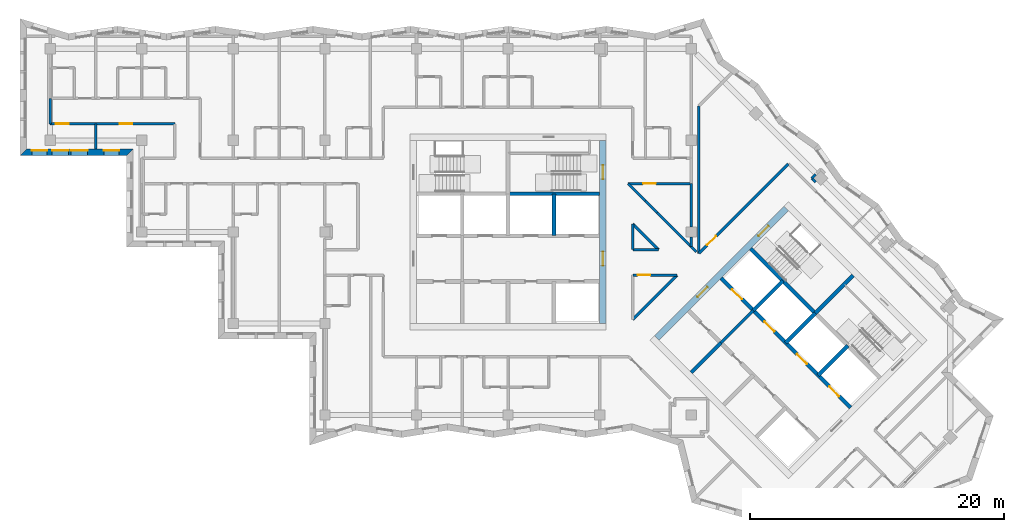
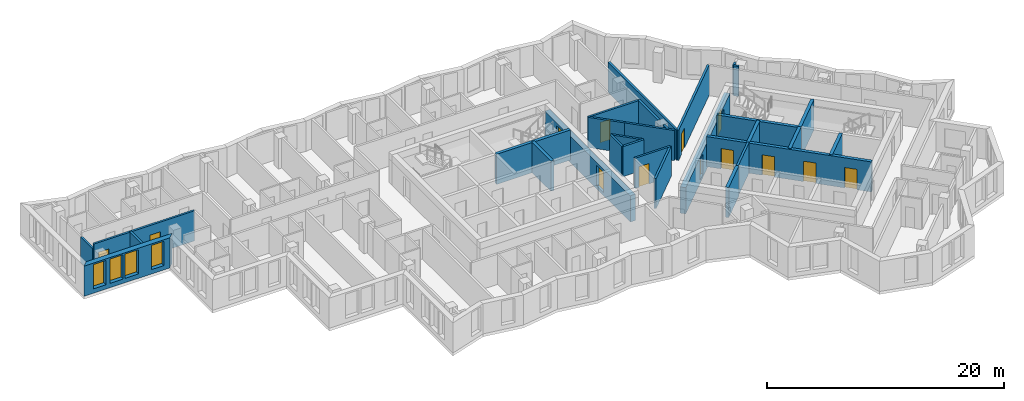
# One storey, part 5 of 13: 31 walls, 13 doors, 4 windows, 17 openings.
"""IFC4 building model written with IfcOpenShell, lengths in metres."""

from ifc_helpers import new_model, si_unit, direction, frame, frame_2d, origin, place, context, subcontext, project, spatial, polyline, rectangle, outline, extrude, material, layer, layer_set, type_object, element, fill, save


model = new_model("IFC4")

# Units and contexts
model_context = context("Model", 3, precision=1e-05, world=origin(), true_north=direction((0.0, 1.0)))
body_context = subcontext(model_context, "Body", "Model", "MODEL_VIEW")
ifc_project = project(units=[si_unit("LENGTHUNIT", "METRE"), si_unit("AREAUNIT", "SQUARE_METRE"), si_unit("VOLUMEUNIT", "CUBIC_METRE"), si_unit("PLANEANGLEUNIT", "RADIAN"), si_unit("MASSUNIT", "GRAM", prefix="KILO")], contexts=[model_context])

# Site, building, storey
site_placement = place(None, origin())
site = spatial("IfcSite", under=ifc_project, at=site_placement, CompositionType="ELEMENT")
building_placement = place(site_placement, origin())
building = spatial("IfcBuilding", under=site, at=building_placement, Name="Windrow Commons", CompositionType="ELEMENT")
storey_placement = place(building_placement, frame((0.0, 0.0, 220.2)))
storey = spatial("IfcBuildingStorey", under=building, at=storey_placement, Name="L60", CompositionType="ELEMENT", Elevation=220.2)

# Wall, openings, windows
ifc_material_1 = material(Name="Brick masonry, red clay brick", Category="masonry")
ifc_layer_1 = layer(ifc_material_1, 0.5)
ifc_layer_set_1 = layer_set([ifc_layer_1], Name="Brick facade wall 500")
wall_type_1 = type_object("IfcWallType", Name="Brick facade wall 500", PredefinedType="SOLIDWALL", material=ifc_layer_set_1)
wall_1_placement = place(storey_placement, frame((26.678, 63.85, 0.0), z_axis=(0.0, 0.0, 1.0), x_axis=(1.0, 0.0, 0.0)))
wall_1 = element("IfcWall", 1, at=wall_1_placement, inside=storey, type_object=wall_type_1, Name="Brick facade wall L60 32", PredefinedType="SOLIDWALL", context=body_context, shape_type="SweptSolid", body=[
    extrude(outline(polyline([(-0.25, -0.25), (8.122, -0.25), (8.622, 0.25), (0.25, 0.25), (-0.25, -0.25)])), origin(), (0.0, 0.0, 1.0), 3.1),
])
opening_1_placement = place(wall_1_placement, frame((2.272, 0.0, 0.45)))
opening_1 = element("IfcOpeningElement", 2, at=opening_1_placement, cuts=wall_1, Name="Opening W1Q", PredefinedType="OPENING", context=body_context, shape_type="SweptSolid", body=[
    extrude(rectangle(XDim=1.3, YDim=2.5, at=frame_2d((0.65, 1.25))), frame((0.0, 0.26, 0.0), z_axis=(0.0, -1.0, 0.0), x_axis=(1.0, 0.0, 0.0)), (0.0, 0.0, 1.0), 0.52),
])
opening_2_placement = place(wall_1_placement, frame((3.772, 0.0, 0.45)))
opening_2 = element("IfcOpeningElement", 3, at=opening_2_placement, cuts=wall_1, Name="Opening W1Q", PredefinedType="OPENING", context=body_context, shape_type="SweptSolid", body=[
    extrude(rectangle(XDim=1.3, YDim=2.5, at=frame_2d((0.65, 1.25))), frame((0.0, 0.26, 0.0), z_axis=(0.0, -1.0, 0.0), x_axis=(1.0, 0.0, 0.0)), (0.0, 0.0, 1.0), 0.52),
])
opening_3_placement = place(wall_1_placement, frame((0.686, 0.0, 0.45)))
opening_3 = element("IfcOpeningElement", 4, at=opening_3_placement, cuts=wall_1, Name="Opening W7E", PredefinedType="OPENING", context=body_context, shape_type="SweptSolid", body=[
    extrude(rectangle(XDim=1.2, YDim=2.5, at=frame_2d((0.6, 1.25))), frame((0.0, 0.26, 0.0), z_axis=(0.0, -1.0, 0.0), x_axis=(1.0, 0.0, 0.0)), (0.0, 0.0, 1.0), 0.52),
])
opening_4_placement = place(wall_1_placement, frame((6.347, 0.0, 0.45)))
opening_4 = element("IfcOpeningElement", 5, at=opening_4_placement, cuts=wall_1, Name="Opening W7E", PredefinedType="OPENING", context=body_context, shape_type="SweptSolid", body=[
    extrude(rectangle(XDim=1.2, YDim=2.5, at=frame_2d((0.6, 1.25))), frame((0.0, 0.26, 0.0), z_axis=(0.0, -1.0, 0.0), x_axis=(1.0, 0.0, 0.0)), (0.0, 0.0, 1.0), 0.52),
])
ifc_material_2 = material(Name="Clear float glass in anodised aluminium frame", Category="aluminium")
window_type_1 = type_object("IfcWindowType", Name="Window W1Q pair 1300x2500", PartitioningType="SINGLE_PANEL", PredefinedType="WINDOW", material=ifc_material_2)
window_1_placement = place(opening_1_placement, origin())
window_1 = element("IfcWindow", 6, at=window_1_placement, inside=storey, type_object=window_type_1, Name="Window L60 32.1A", OverallHeight=2.5, OverallWidth=1.3, PartitioningType="SINGLE_PANEL", PredefinedType="WINDOW", context=body_context, shape_type="SweptSolid", body=[
    extrude(rectangle(XDim=1.3, YDim=2.5, at=frame_2d((0.65, 1.25))), frame((0.0, 0.18, 0.0), z_axis=(0.0, -1.0, 0.0), x_axis=(1.0, 0.0, 0.0)), (0.0, 0.0, 1.0), 0.06),
])
fill(opening_1, window_1)
window_2_placement = place(opening_2_placement, origin())
window_2 = element("IfcWindow", 7, at=window_2_placement, inside=storey, type_object=window_type_1, Name="Window L60 32.1B", OverallHeight=2.5, OverallWidth=1.3, PartitioningType="SINGLE_PANEL", PredefinedType="WINDOW", context=body_context, shape_type="SweptSolid", body=[
    extrude(rectangle(XDim=1.3, YDim=2.5, at=frame_2d((0.65, 1.25))), frame((0.0, 0.18, 0.0), z_axis=(0.0, -1.0, 0.0), x_axis=(1.0, 0.0, 0.0)), (0.0, 0.0, 1.0), 0.06),
])
fill(opening_2, window_2)
ifc_material_3 = material(Name="Clear float glass in anodised aluminium frame", Category="aluminium")
window_type_2 = type_object("IfcWindowType", Name="Window W7 notch 1200x2500", PartitioningType="SINGLE_PANEL", PredefinedType="WINDOW", material=ifc_material_3)
window_3_placement = place(opening_3_placement, origin())
window_3 = element("IfcWindow", 8, at=window_3_placement, inside=storey, type_object=window_type_2, Name="Window L60 32.2", OverallHeight=2.5, OverallWidth=1.2, PartitioningType="SINGLE_PANEL", PredefinedType="WINDOW", context=body_context, shape_type="SweptSolid", body=[
    extrude(rectangle(XDim=1.2, YDim=2.5, at=frame_2d((0.6, 1.25))), frame((0.0, 0.18, 0.0), z_axis=(0.0, -1.0, 0.0), x_axis=(1.0, 0.0, 0.0)), (0.0, 0.0, 1.0), 0.06),
])
fill(opening_3, window_3)
window_4_placement = place(opening_4_placement, origin())
window_4 = element("IfcWindow", 9, at=window_4_placement, inside=storey, type_object=window_type_2, Name="Window L60 32.3", OverallHeight=2.5, OverallWidth=1.2, PartitioningType="SINGLE_PANEL", PredefinedType="WINDOW", context=body_context, shape_type="SweptSolid", body=[
    extrude(rectangle(XDim=1.2, YDim=2.5, at=frame_2d((0.6, 1.25))), frame((0.0, 0.18, 0.0), z_axis=(0.0, -1.0, 0.0), x_axis=(1.0, 0.0, 0.0)), (0.0, 0.0, 1.0), 0.06),
])
fill(opening_4, window_4)

# Wall
ifc_material_4 = material(Name="Blockwork partition", Category="masonry")
ifc_layer_2 = layer(ifc_material_4, 0.2)
ifc_layer_set_2 = layer_set([ifc_layer_2], Name="Fire lobby partition 200")
wall_type_2 = type_object("IfcWallType", Name="Fire lobby partition 200", PredefinedType="PARTITIONING", material=ifc_layer_set_2)
wall_2_placement = place(storey_placement, frame((81.5335, 48.8776, 0.0), z_axis=(0.0, 0.0, 1.0), x_axis=(0.707092892, 0.7071206701, 0.0)))
element("IfcWall", 10, at=wall_2_placement, inside=storey, type_object=wall_type_2, Name="W-core-lobby-B-L60", PredefinedType="PARTITIONING", context=body_context, shape_type="SweptSolid", body=[
    extrude(rectangle(XDim=3.6, YDim=0.2, at=frame_2d((1.8, 0.0))), origin(), (0.0, 0.0, 1.0), 3.1),
])

# Wall, opening, door
ifc_material_5 = material(Name="Blockwork partition", Category="masonry")
ifc_layer_3 = layer(ifc_material_5, 0.2)
ifc_layer_set_3 = layer_set([ifc_layer_3], Name="IW-CORRIDOR-200")
wall_type_3 = type_object("IfcWallType", Name="IW-CORRIDOR-200", PredefinedType="PARTITIONING", material=ifc_layer_set_3)
wall_3_placement = place(storey_placement, frame((79.799, 55.913, 0.0), z_axis=(0.0, 0.0, 1.0), x_axis=(0.7071067812, 0.7071067812, 0.0)))
wall_3 = element("IfcWall", 11, at=wall_3_placement, inside=storey, type_object=wall_type_3, Name="W-L60-W010", PredefinedType="PARTITIONING", context=body_context, shape_type="SweptSolid", body=[
    extrude(rectangle(XDim=9.9504, YDim=0.2, at=frame_2d((4.9752, 0.0))), origin(), (0.0, 0.0, 1.0), 3.1),
])
opening_5_placement = place(wall_3_placement, frame((0.9268, 0.0, 0.0)))
opening_5 = element("IfcOpeningElement", 12, at=opening_5_placement, cuts=wall_3, Name="Opening D310F", PredefinedType="OPENING", context=body_context, shape_type="SweptSolid", body=[
    extrude(rectangle(XDim=1.0, YDim=2.1, at=frame_2d((0.5, 1.05))), frame((0.0, 0.11, 0.0), z_axis=(0.0, -1.0, 0.0), x_axis=(1.0, 0.0, 0.0)), (0.0, 0.0, 1.0), 0.22),
])
ifc_material_6 = material(Name="Timber door leaf", Category="wood")
door_type_1 = type_object("IfcDoorType", Name="DT-AMENITY-1000", OperationType="SINGLE_SWING_LEFT", PredefinedType="DOOR", material=ifc_material_6)
door_1_placement = place(opening_5_placement, origin())
door_1 = element("IfcDoor", 13, at=door_1_placement, inside=storey, type_object=door_type_1, Name="D-L60-D044", OperationType="SINGLE_SWING_RIGHT", OverallHeight=2.1, OverallWidth=1.0, PredefinedType="DOOR", context=body_context, shape_type="SweptSolid", body=[
    extrude(rectangle(XDim=1.0, YDim=2.1, at=frame_2d((0.5, 1.05))), frame((0.0, 0.025, 0.0), z_axis=(0.0, -1.0, 0.0), x_axis=(1.0, 0.0, 0.0)), (0.0, 0.0, 1.0), 0.05),
])
fill(opening_5, door_1)

# Wall, openings, doors
wall_4_placement = place(storey_placement, frame((28.802, 66.1, 0.0), z_axis=(0.0, 0.0, 1.0), x_axis=(1.0, 0.0, 0.0)))
wall_4 = element("IfcWall", 14, at=wall_4_placement, inside=storey, type_object=wall_type_3, Name="W-L60-W011", PredefinedType="PARTITIONING", context=body_context, shape_type="SweptSolid", body=[
    extrude(rectangle(XDim=9.798, YDim=0.2, at=frame_2d((4.899, 0.0))), origin(), (0.0, 0.0, 1.0), 3.1),
])
opening_6_placement = place(wall_4_placement, frame((0.4487, 0.0, 0.0)))
opening_6 = element("IfcOpeningElement", 15, at=opening_6_placement, cuts=wall_4, Name="Opening D310F", PredefinedType="OPENING", context=body_context, shape_type="SweptSolid", body=[
    extrude(rectangle(XDim=1.0, YDim=2.1, at=frame_2d((0.5, 1.05))), frame((0.0, 0.11, 0.0), z_axis=(0.0, -1.0, 0.0), x_axis=(1.0, 0.0, 0.0)), (0.0, 0.0, 1.0), 0.22),
])
opening_7_placement = place(wall_4_placement, frame((5.4593, 0.0, 0.0)))
opening_7 = element("IfcOpeningElement", 16, at=opening_7_placement, cuts=wall_4, Name="Opening D310F", PredefinedType="OPENING", context=body_context, shape_type="SweptSolid", body=[
    extrude(rectangle(XDim=1.0, YDim=2.1, at=frame_2d((0.5, 1.05))), frame((0.0, 0.11, 0.0), z_axis=(0.0, -1.0, 0.0), x_axis=(1.0, 0.0, 0.0)), (0.0, 0.0, 1.0), 0.22),
])
door_2_placement = place(opening_6_placement, origin())
door_2 = element("IfcDoor", 17, at=door_2_placement, inside=storey, type_object=door_type_1, Name="D-L60-D001", OperationType="SINGLE_SWING_LEFT", OverallHeight=2.1, OverallWidth=1.0, PredefinedType="DOOR", context=body_context, shape_type="SweptSolid", body=[
    extrude(rectangle(XDim=1.0, YDim=2.1, at=frame_2d((0.5, 1.05))), frame((0.0, 0.025, 0.0), z_axis=(0.0, -1.0, 0.0), x_axis=(1.0, 0.0, 0.0)), (0.0, 0.0, 1.0), 0.05),
])
fill(opening_6, door_2)
door_3_placement = place(opening_7_placement, origin())
door_3 = element("IfcDoor", 18, at=door_3_placement, inside=storey, type_object=door_type_1, Name="D-L60-D008", OperationType="SINGLE_SWING_RIGHT", OverallHeight=2.1, OverallWidth=1.0, PredefinedType="DOOR", context=body_context, shape_type="SweptSolid", body=[
    extrude(rectangle(XDim=1.0, YDim=2.1, at=frame_2d((0.5, 1.05))), frame((0.0, 0.025, 0.0), z_axis=(0.0, -1.0, 0.0), x_axis=(1.0, 0.0, 0.0)), (0.0, 0.0, 1.0), 0.05),
])
fill(opening_7, door_3)

# Wall, opening, door
wall_5_placement = place(storey_placement, frame((74.246, 61.4, 0.0), z_axis=(0.0, 0.0, 1.0), x_axis=(1.0, 0.0, 0.0)))
wall_5 = element("IfcWall", 19, at=wall_5_placement, inside=storey, type_object=wall_type_3, Name="W-L60-W031", PredefinedType="PARTITIONING", context=body_context, shape_type="SweptSolid", body=[
    extrude(rectangle(XDim=4.954, YDim=0.2, at=frame_2d((2.477, 0.0))), origin(), (0.0, 0.0, 1.0), 3.1),
])
opening_8_placement = place(wall_5_placement, frame((1.1698, 0.0, 0.0)))
opening_8 = element("IfcOpeningElement", 20, at=opening_8_placement, cuts=wall_5, Name="Opening D410F", PredefinedType="OPENING", context=body_context, shape_type="SweptSolid", body=[
    extrude(rectangle(XDim=1.0, YDim=2.1, at=frame_2d((0.5, 1.05))), frame((0.0, 0.11, 0.0), z_axis=(0.0, -1.0, 0.0), x_axis=(1.0, 0.0, 0.0)), (0.0, 0.0, 1.0), 0.22),
])
ifc_material_7 = material(Name="Timber door leaf", Category="wood")
door_type_2 = type_object("IfcDoorType", Name="DT-SERVICE-1000", OperationType="SINGLE_SWING_LEFT", PredefinedType="DOOR", material=ifc_material_7)
door_4_placement = place(opening_8_placement, origin())
door_4 = element("IfcDoor", 21, at=door_4_placement, inside=storey, type_object=door_type_2, Name="D-L60-D043", OperationType="SINGLE_SWING_RIGHT", OverallHeight=2.1, OverallWidth=1.0, PredefinedType="DOOR", context=body_context, shape_type="SweptSolid", body=[
    extrude(rectangle(XDim=1.0, YDim=2.1, at=frame_2d((0.5, 1.05))), frame((0.0, 0.025, 0.0), z_axis=(0.0, -1.0, 0.0), x_axis=(1.0, 0.0, 0.0)), (0.0, 0.0, 1.0), 0.05),
])
fill(opening_8, door_4)

# Walls
wall_6_placement = place(storey_placement, frame((74.601, 50.715, 0.0), z_axis=(0.0, 0.0, 1.0), x_axis=(0.7071067812, 0.7071067812, 0.0)))
element("IfcWall", 22, at=wall_6_placement, inside=storey, type_object=wall_type_3, Name="W-L60-W032", PredefinedType="PARTITIONING", context=body_context, shape_type="SweptSolid", body=[
    extrude(rectangle(XDim=4.9271, YDim=0.2, at=frame_2d((2.4636, 0.0))), origin(), (0.0, 0.0, 1.0), 3.1),
])
wall_7_placement = place(storey_placement, frame((76.5129, 59.1309, 0.0), z_axis=(0.0, 0.0, 1.0), x_axis=(0.7073587997, -0.7068546728, 0.0)))
element("IfcWall", 23, at=wall_7_placement, inside=storey, type_object=wall_type_3, Name="W-L60-W042", PredefinedType="PARTITIONING", context=body_context, shape_type="SweptSolid", body=[
    extrude(rectangle(XDim=4.364, YDim=0.2, at=frame_2d((2.182, 0.0))), origin(), (0.0, 0.0, 1.0), 3.1),
])

# Wall, opening, door
wall_8_placement = place(storey_placement, frame((74.602, 54.2, 0.0), z_axis=(0.0, 0.0, 1.0), x_axis=(1.0, 0.0, 0.0)))
wall_8 = element("IfcWall", 24, at=wall_8_placement, inside=storey, type_object=wall_type_3, Name="W-L60-W053", PredefinedType="PARTITIONING", context=body_context, shape_type="SweptSolid", body=[
    extrude(rectangle(XDim=3.484, YDim=0.2, at=frame_2d((1.742, 0.0))), origin(), (0.0, 0.0, 1.0), 3.1),
])
opening_9_placement = place(wall_8_placement, frame((0.3815, 0.0, 0.0)))
opening_9 = element("IfcOpeningElement", 25, at=opening_9_placement, cuts=wall_8, Name="Opening D310F", PredefinedType="OPENING", context=body_context, shape_type="SweptSolid", body=[
    extrude(rectangle(XDim=1.0, YDim=2.1, at=frame_2d((0.5, 1.05))), frame((0.0, 0.11, 0.0), z_axis=(0.0, -1.0, 0.0), x_axis=(1.0, 0.0, 0.0)), (0.0, 0.0, 1.0), 0.22),
])
door_5_placement = place(opening_9_placement, origin())
door_5 = element("IfcDoor", 26, at=door_5_placement, inside=storey, type_object=door_type_1, Name="D-L60-D000", OperationType="SINGLE_SWING_RIGHT", OverallHeight=2.1, OverallWidth=1.0, PredefinedType="DOOR", context=body_context, shape_type="SweptSolid", body=[
    extrude(rectangle(XDim=1.0, YDim=2.1, at=frame_2d((0.5, 1.05))), frame((0.0, 0.025, 0.0), z_axis=(0.0, -1.0, 0.0), x_axis=(1.0, 0.0, 0.0)), (0.0, 0.0, 1.0), 0.05),
])
fill(opening_9, door_5)

# Walls
wall_9_placement = place(storey_placement, frame((74.6055, 58.2175, 0.0), z_axis=(0.0, 0.0, 1.0), x_axis=(0.7071067812, -0.7071067812, 0.0)))
element("IfcWall", 27, at=wall_9_placement, inside=storey, type_object=wall_type_3, Name="W-L60-W062", PredefinedType="PARTITIONING", context=body_context, shape_type="SweptSolid", body=[
    extrude(rectangle(XDim=2.8454, YDim=0.2, at=frame_2d((1.4227, 0.0))), origin(), (0.0, 0.0, 1.0), 3.1),
])
for number, where, z_axis, x_axis, name in (
    (28, (74.6, 56.202, 0.0), (0.0, 0.0, 1.0), (0.0, 1.0, 0.0), "W-L60-W106"),
    (29, (74.602, 56.2, 0.0), (0.0, 0.0, 1.0), (1.0, 0.0, 0.0), "W-L60-W107"),
):
    element("IfcWall", number, at=place(storey_placement, frame(where, z_axis=z_axis, x_axis=x_axis)), inside=storey, type_object=wall_type_3, Name=name, PredefinedType="PARTITIONING", context=body_context, shape_type="SweptSolid", body=[
        extrude(rectangle(XDim=2.01, YDim=0.2, at=frame_2d((1.005, 0.0))), origin(), (0.0, 0.0, 1.0), 3.1),
    ])
wall_10_placement = place(storey_placement, frame((28.8, 66.102, 0.0), z_axis=(0.0, 0.0, 1.0), x_axis=(0.0, 1.0, 0.0)))
element("IfcWall", 30, at=wall_10_placement, inside=storey, type_object=wall_type_3, Name="W-L60-W112", PredefinedType="PARTITIONING", context=body_context, shape_type="SweptSolid", body=[
    extrude(rectangle(XDim=1.998, YDim=0.2, at=frame_2d((0.999, 0.0))), origin(), (0.0, 0.0, 1.0), 2.6),
])
wall_11_placement = place(storey_placement, frame((74.2426, 61.3946, 0.0), z_axis=(0.0, 0.0, 1.0), x_axis=(0.7071067812, -0.7071067812, 0.0)))
element("IfcWall", 31, at=wall_11_placement, inside=storey, type_object=wall_type_3, Name="W-L60-W114", PredefinedType="PARTITIONING", context=body_context, shape_type="SweptSolid", body=[
    extrude(rectangle(XDim=1.9148, YDim=0.2, at=frame_2d((0.9574, 0.0))), origin(), (0.0, 0.0, 1.0), 3.1),
])
wall_12_placement = place(storey_placement, frame((75.6023, 60.0463, 0.0), z_axis=(0.0, 0.0, 1.0), x_axis=(0.7063318703, -0.7078808437, 0.0)))
element("IfcWall", 32, at=wall_12_placement, inside=storey, type_object=wall_type_3, Name="W-L60-W134", PredefinedType="PARTITIONING", context=body_context, shape_type="SweptSolid", body=[
    extrude(rectangle(XDim=1.2912, YDim=0.2, at=frame_2d((0.6456, 0.0))), origin(), (0.0, 0.0, 1.0), 3.1),
])
ifc_material_8 = material(Name="Blockwork partition", Category="masonry")
ifc_layer_4 = layer(ifc_material_8, 0.2)
ifc_layer_set_4 = layer_set([ifc_layer_4], Name="IW-PARTY-200")
wall_type_4 = type_object("IfcWallType", Name="IW-PARTY-200", PredefinedType="PARTITIONING", material=ifc_layer_set_4)
wall_13_placement = place(storey_placement, frame((79.8, 55.912, 0.0), z_axis=(0.0, 0.0, 1.0), x_axis=(0.0, 1.0, 0.0)))
element("IfcWall", 33, at=wall_13_placement, inside=storey, type_object=wall_type_4, Name="W-L60-W008", PredefinedType="PARTITIONING", context=body_context, shape_type="SweptSolid", body=[
    extrude(rectangle(XDim=11.596, YDim=0.2, at=frame_2d((5.798, 0.0))), origin(), (0.0, 0.0, 1.0), 3.1),
])
wall_14_placement = place(storey_placement, frame((79.2, 58.0, 0.0), z_axis=(0.0, 0.0, 1.0), x_axis=(0.0, 1.0, 0.0)))
element("IfcWall", 34, at=wall_14_placement, inside=storey, type_object=wall_type_4, Name="W-L60-W060", PredefinedType="PARTITIONING", context=body_context, shape_type="SweptSolid", body=[
    extrude(rectangle(XDim=3.4, YDim=0.2, at=frame_2d((1.7, 0.0))), origin(), (0.0, 0.0, 1.0), 3.1),
])
wall_15_placement = place(storey_placement, frame((32.4, 64.1, 0.0), z_axis=(0.0, 0.0, 1.0), x_axis=(0.0, 1.0, 0.0)))
element("IfcWall", 35, at=wall_15_placement, inside=storey, type_object=wall_type_4, Name="W-L60-W113", PredefinedType="PARTITIONING", context=body_context, shape_type="SweptSolid", body=[
    extrude(rectangle(XDim=2.0, YDim=0.2, at=frame_2d((1.0, 0.0))), origin(), (0.0, 0.0, 1.0), 3.1),
])
wall_16_placement = place(storey_placement, frame((79.2, 56.444, 0.0), z_axis=(0.0, 0.0, 1.0), x_axis=(0.0, 1.0, 0.0)))
element("IfcWall", 36, at=wall_16_placement, inside=storey, type_object=wall_type_4, Name="W-L60-W149", PredefinedType="PARTITIONING", context=body_context, shape_type="SweptSolid", body=[
    extrude(rectangle(XDim=0.756, YDim=0.2, at=frame_2d((0.378, 0.0))), origin(), (0.0, 0.0, 1.0), 3.1),
])
for number, where, z_axis, x_axis, name in (
    (37, (88.671, 61.815, 0.0), (0.0, 0.0, 1.0), (0.7071067812, 0.7071067812, 0.0), "W-L60-W172"),
    (38, (88.6722, 61.8142, 0.0), (0.0, 0.0, 1.0), (0.7071067812, -0.7071067812, 0.0), "W-L60-W174"),
):
    element("IfcWall", number, at=place(storey_placement, frame(where, z_axis=z_axis, x_axis=x_axis)), inside=storey, type_object=wall_type_4, Name=name, PredefinedType="PARTITIONING", context=body_context, shape_type="SweptSolid", body=[
        extrude(rectangle(XDim=0.4384, YDim=0.2, at=frame_2d((0.2192, 0.0))), origin(), (0.0, 0.0, 1.0), 3.1),
    ])

# Wall, openings, doors
ifc_material_9 = material(Name="Concrete C40/50", Category="concrete")
ifc_layer_5 = layer(ifc_material_9, 0.5)
ifc_layer_set_5 = layer_set([ifc_layer_5], Name="RC CORE WALL 500 C40/50")
wall_type_5 = type_object("IfcWallType", Name="RC CORE WALL 500 C40/50", PredefinedType="SHEAR", material=ifc_layer_set_5)
wall_17_placement = place(storey_placement, frame((72.25, 50.4, -0.3), z_axis=(0.0, 0.0, 1.0), x_axis=(0.0, 1.0, 0.0)))
wall_17 = element("IfcWall", 39, at=wall_17_placement, inside=storey, type_object=wall_type_5, Name="Core A wall outer-E", PredefinedType="SHEAR", context=body_context, shape_type="SweptSolid", body=[
    extrude(rectangle(XDim=14.4, YDim=0.5, at=frame_2d((7.2, 0.0))), origin(), (0.0, 0.0, 1.0), 2.7),
])
opening_10_placement = place(wall_17_placement, frame((4.55, 0.0, 0.3)))
opening_10 = element("IfcOpeningElement", 40, at=opening_10_placement, cuts=wall_17, Name="Opening D6", PredefinedType="OPENING", context=body_context, shape_type="SweptSolid", body=[
    extrude(rectangle(XDim=1.1, YDim=2.1, at=frame_2d((0.55, 1.05))), frame((0.0, 0.26, 0.0), z_axis=(0.0, -1.0, 0.0), x_axis=(1.0, 0.0, 0.0)), (0.0, 0.0, 1.0), 0.52),
])
opening_11_placement = place(wall_17_placement, frame((11.35, 0.0, 0.3)))
opening_11 = element("IfcOpeningElement", 41, at=opening_11_placement, cuts=wall_17, Name="Opening D7", PredefinedType="OPENING", context=body_context, shape_type="SweptSolid", body=[
    extrude(rectangle(XDim=1.1, YDim=2.1, at=frame_2d((0.55, 1.05))), frame((0.0, 0.26, 0.0), z_axis=(0.0, -1.0, 0.0), x_axis=(1.0, 0.0, 0.0)), (0.0, 0.0, 1.0), 0.52),
])
ifc_material_10 = material(Name="Steel fire door leaf", Category="steel")
door_type_3 = type_object("IfcDoorType", Name="Core lobby door 1100", OperationType="SINGLE_SWING_LEFT", PredefinedType="DOOR", material=ifc_material_10)
door_6_placement = place(opening_10_placement, origin())
door_6 = element("IfcDoor", 42, at=door_6_placement, inside=storey, type_object=door_type_3, Name="Lift lobby door", OperationType="DOUBLE_DOOR_SINGLE_SWING", OverallHeight=2.1, OverallWidth=1.1, PredefinedType="DOOR", context=body_context, shape_type="SweptSolid", body=[
    extrude(rectangle(XDim=1.1, YDim=2.1, at=frame_2d((0.55, 1.05))), frame((0.0, 0.025, 0.0), z_axis=(0.0, -1.0, 0.0), x_axis=(1.0, 0.0, 0.0)), (0.0, 0.0, 1.0), 0.05),
])
fill(opening_10, door_6)
ifc_material_11 = material(Name="Steel fire door leaf", Category="steel")
door_type_4 = type_object("IfcDoorType", Name="Stair door 1100", OperationType="SINGLE_SWING_LEFT", PredefinedType="DOOR", material=ifc_material_11)
door_7_placement = place(opening_11_placement, origin())
door_7 = element("IfcDoor", 43, at=door_7_placement, inside=storey, type_object=door_type_4, Name="Stair door", OperationType="SINGLE_SWING_RIGHT", OverallHeight=2.1, OverallWidth=1.1, PredefinedType="DOOR", context=body_context, shape_type="SweptSolid", body=[
    extrude(rectangle(XDim=1.1, YDim=2.1, at=frame_2d((0.55, 1.05))), frame((0.0, 0.025, 0.0), z_axis=(0.0, -1.0, 0.0), x_axis=(1.0, 0.0, 0.0)), (0.0, 0.0, 1.0), 0.05),
])
fill(opening_11, door_7)

wall_18_placement = place(storey_placement, frame((76.4776, 49.2665, -0.3), z_axis=(0.0, 0.0, 1.0), x_axis=(0.7071067812, 0.7071067812, 0.0)))
wall_18 = element("IfcWall", 44, at=wall_18_placement, inside=storey, type_object=wall_type_5, Name="Core B wall outer-W", PredefinedType="SHEAR", context=body_context, shape_type="SweptSolid", body=[
    extrude(rectangle(XDim=14.4001, YDim=0.5, at=frame_2d((7.2001, 0.0))), origin(), (0.0, 0.0, 1.0), 2.7),
])
opening_12_placement = place(wall_18_placement, frame((4.55, 0.0, 0.3)))
opening_12 = element("IfcOpeningElement", 45, at=opening_12_placement, cuts=wall_18, Name="Opening D6", PredefinedType="OPENING", context=body_context, shape_type="SweptSolid", body=[
    extrude(rectangle(XDim=1.1, YDim=2.1, at=frame_2d((0.55, 1.05))), frame((0.0, 0.26, 0.0), z_axis=(0.0, -1.0, 0.0), x_axis=(1.0, 0.0, 0.0)), (0.0, 0.0, 1.0), 0.52),
])
opening_13_placement = place(wall_18_placement, frame((11.35, 0.0, 0.3)))
opening_13 = element("IfcOpeningElement", 46, at=opening_13_placement, cuts=wall_18, Name="Opening D7", PredefinedType="OPENING", context=body_context, shape_type="SweptSolid", body=[
    extrude(rectangle(XDim=1.1, YDim=2.1, at=frame_2d((0.55, 1.05))), frame((0.0, 0.26, 0.0), z_axis=(0.0, -1.0, 0.0), x_axis=(1.0, 0.0, 0.0)), (0.0, 0.0, 1.0), 0.52),
])
door_8_placement = place(opening_12_placement, origin())
door_8 = element("IfcDoor", 47, at=door_8_placement, inside=storey, type_object=door_type_3, Name="Lift lobby door", OperationType="DOUBLE_DOOR_SINGLE_SWING", OverallHeight=2.1, OverallWidth=1.1, PredefinedType="DOOR", context=body_context, shape_type="SweptSolid", body=[
    extrude(rectangle(XDim=1.1, YDim=2.1, at=frame_2d((0.55, 1.05))), frame((0.0, 0.025, 0.0), z_axis=(0.0, -1.0, 0.0), x_axis=(1.0, 0.0, 0.0)), (0.0, 0.0, 1.0), 0.05),
])
fill(opening_12, door_8)
door_9_placement = place(opening_13_placement, origin())
door_9 = element("IfcDoor", 48, at=door_9_placement, inside=storey, type_object=door_type_4, Name="Stair door", OperationType="SINGLE_SWING_LEFT", OverallHeight=2.1, OverallWidth=1.1, PredefinedType="DOOR", context=body_context, shape_type="SweptSolid", body=[
    extrude(rectangle(XDim=1.1, YDim=2.1, at=frame_2d((0.55, 1.05))), frame((0.0, 0.025, 0.0), z_axis=(0.0, -1.0, 0.0), x_axis=(1.0, 0.0, 0.0)), (0.0, 0.0, 1.0), 0.05),
])
fill(opening_13, door_9)

# Walls
ifc_material_12 = material(Name="Concrete C40/50", Category="concrete")
ifc_layer_6 = layer(ifc_material_12, 0.3)
ifc_layer_set_6 = layer_set([ifc_layer_6], Name="RC SHAFT WALL 300 C40/50")
wall_type_6 = type_object("IfcWallType", Name="RC SHAFT WALL 300 C40/50", PredefinedType="SOLIDWALL", material=ifc_layer_set_6)
wall_19_placement = place(storey_placement, frame((68.4, 57.3, 0.0), z_axis=(0.0, 0.0, 1.0), x_axis=(0.0, 1.0, 0.0)))
element("IfcWall", 49, at=wall_19_placement, inside=storey, type_object=wall_type_6, Name="Core A wall shaft-N3", PredefinedType="SOLIDWALL", context=body_context, shape_type="SweptSolid", body=[
    extrude(rectangle(XDim=3.3, YDim=0.3, at=frame_2d((1.65, 0.0))), origin(), (0.0, 0.0, 1.0), 3.1),
])
wall_20_placement = place(storey_placement, frame((64.8, 60.6, 0.0), z_axis=(0.0, 0.0, 1.0), x_axis=(1.0, 0.0, 0.0)))
element("IfcWall", 50, at=wall_20_placement, inside=storey, type_object=wall_type_6, Name="Core A wall stair-S2", PredefinedType="SOLIDWALL", context=body_context, shape_type="SweptSolid", body=[
    extrude(rectangle(XDim=7.2, YDim=0.3, at=frame_2d((3.6, 0.0))), origin(), (0.0, 0.0, 1.0), 3.1),
])
for number, where, z_axis, x_axis, name in (
    (51, (79.2, 46.5442, 0.0), (0.0, 0.0, 1.0), (0.7071219326, 0.7070916295, 0.0), "Core B wall shaft-S1"),
    (52, (84.079, 51.4232, 0.0), (0.0, 0.0, 1.0), (0.7071219326, 0.7070916295, 0.0), "Core B wall shaft-N1"),
):
    element("IfcWall", number, at=place(storey_placement, frame(where, z_axis=z_axis, x_axis=x_axis)), inside=storey, type_object=wall_type_6, Name=name, PredefinedType="SOLIDWALL", context=body_context, shape_type="SweptSolid", body=[
        extrude(rectangle(XDim=3.3, YDim=0.3, at=frame_2d((1.65, 0.0))), origin(), (0.0, 0.0, 1.0), 3.1),
    ])
for number, where, z_axis, x_axis, name in (
    (53, (86.6246, 48.8776, 0.0), (0.0, 0.0, 1.0), (0.7071067812, 0.7071067812, 0.0), "Core B wall shaft-N2"),
    (54, (89.1702, 46.332, 0.0), (0.0, 0.0, 1.0), (0.7071067812, 0.7071067812, 0.0), "Core B wall shaft-N3"),
):
    element("IfcWall", number, at=place(storey_placement, frame(where, z_axis=z_axis, x_axis=x_axis)), inside=storey, type_object=wall_type_6, Name=name, PredefinedType="SOLIDWALL", context=body_context, shape_type="SweptSolid", body=[
        extrude(rectangle(XDim=3.3001, YDim=0.3, at=frame_2d((1.6501, 0.0))), origin(), (0.0, 0.0, 1.0), 3.1),
    ])

# Wall, openings, doors
wall_21_placement = place(storey_placement, frame((81.5335, 53.9688, 0.0), z_axis=(0.0, 0.0, 1.0), x_axis=(0.707103309, -0.7071102534, 0.0)))
wall_21 = element("IfcWall", 55, at=wall_21_placement, inside=storey, type_object=wall_type_6, Name="Core B wall lobby-N", PredefinedType="SOLIDWALL", context=body_context, shape_type="SweptSolid", body=[
    extrude(rectangle(XDim=14.4, YDim=0.3, at=frame_2d((7.2, 0.0))), origin(), (0.0, 0.0, 1.0), 3.1),
])
opening_14_placement = place(wall_21_placement, frame((1.25, 0.0, 0.0)))
opening_14 = element("IfcOpeningElement", 56, at=opening_14_placement, cuts=wall_21, Name="Opening LD", PredefinedType="OPENING", context=body_context, shape_type="SweptSolid", body=[
    extrude(rectangle(XDim=1.1, YDim=2.1, at=frame_2d((0.55, 1.05))), frame((0.0, 0.16, 0.0), z_axis=(0.0, -1.0, 0.0), x_axis=(1.0, 0.0, 0.0)), (0.0, 0.0, 1.0), 0.32),
])
opening_15_placement = place(wall_21_placement, frame((4.85, 0.0, 0.0)))
opening_15 = element("IfcOpeningElement", 57, at=opening_15_placement, cuts=wall_21, Name="Opening LD", PredefinedType="OPENING", context=body_context, shape_type="SweptSolid", body=[
    extrude(rectangle(XDim=1.1, YDim=2.1, at=frame_2d((0.55, 1.05))), frame((0.0, 0.16, 0.0), z_axis=(0.0, -1.0, 0.0), x_axis=(1.0, 0.0, 0.0)), (0.0, 0.0, 1.0), 0.32),
])
opening_16_placement = place(wall_21_placement, frame((8.45, 0.0, 0.0)))
opening_16 = element("IfcOpeningElement", 58, at=opening_16_placement, cuts=wall_21, Name="Opening LD", PredefinedType="OPENING", context=body_context, shape_type="SweptSolid", body=[
    extrude(rectangle(XDim=1.1, YDim=2.1, at=frame_2d((0.55, 1.05))), frame((0.0, 0.16, 0.0), z_axis=(0.0, -1.0, 0.0), x_axis=(1.0, 0.0, 0.0)), (0.0, 0.0, 1.0), 0.32),
])
opening_17_placement = place(wall_21_placement, frame((12.05, 0.0, 0.0)))
opening_17 = element("IfcOpeningElement", 59, at=opening_17_placement, cuts=wall_21, Name="Opening LD", PredefinedType="OPENING", context=body_context, shape_type="SweptSolid", body=[
    extrude(rectangle(XDim=1.1, YDim=2.1, at=frame_2d((0.55, 1.05))), frame((0.0, 0.16, 0.0), z_axis=(0.0, -1.0, 0.0), x_axis=(1.0, 0.0, 0.0)), (0.0, 0.0, 1.0), 0.32),
])
ifc_material_13 = material(Name="Stainless steel door leaf", Category="steel")
door_type_5 = type_object("IfcDoorType", Name="Lift landing door 1100", OperationType="SLIDING_TO_LEFT", PredefinedType="DOOR", material=ifc_material_13)
door_10_placement = place(opening_14_placement, origin())
door_10 = element("IfcDoor", 60, at=door_10_placement, inside=storey, type_object=door_type_5, Name="Lift landing door", OperationType="SLIDING_TO_LEFT", OverallHeight=2.1, OverallWidth=1.1, PredefinedType="DOOR", context=body_context, shape_type="SweptSolid", body=[
    extrude(rectangle(XDim=1.1, YDim=2.1, at=frame_2d((0.55, 1.05))), frame((0.0, 0.025, 0.0), z_axis=(0.0, -1.0, 0.0), x_axis=(1.0, 0.0, 0.0)), (0.0, 0.0, 1.0), 0.05),
])
fill(opening_14, door_10)
door_11_placement = place(opening_15_placement, origin())
door_11 = element("IfcDoor", 61, at=door_11_placement, inside=storey, type_object=door_type_5, Name="Lift landing door", OperationType="SLIDING_TO_RIGHT", OverallHeight=2.1, OverallWidth=1.1, PredefinedType="DOOR", context=body_context, shape_type="SweptSolid", body=[
    extrude(rectangle(XDim=1.1, YDim=2.1, at=frame_2d((0.55, 1.05))), frame((0.0, 0.025, 0.0), z_axis=(0.0, -1.0, 0.0), x_axis=(1.0, 0.0, 0.0)), (0.0, 0.0, 1.0), 0.05),
])
fill(opening_15, door_11)
door_12_placement = place(opening_16_placement, origin())
door_12 = element("IfcDoor", 62, at=door_12_placement, inside=storey, type_object=door_type_5, Name="Lift landing door", OperationType="SLIDING_TO_LEFT", OverallHeight=2.1, OverallWidth=1.1, PredefinedType="DOOR", context=body_context, shape_type="SweptSolid", body=[
    extrude(rectangle(XDim=1.1, YDim=2.1, at=frame_2d((0.55, 1.05))), frame((0.0, 0.025, 0.0), z_axis=(0.0, -1.0, 0.0), x_axis=(1.0, 0.0, 0.0)), (0.0, 0.0, 1.0), 0.05),
])
fill(opening_16, door_12)
door_13_placement = place(opening_17_placement, origin())
door_13 = element("IfcDoor", 63, at=door_13_placement, inside=storey, type_object=door_type_5, Name="Lift landing door", OperationType="SLIDING_TO_RIGHT", OverallHeight=2.1, OverallWidth=1.1, PredefinedType="DOOR", context=body_context, shape_type="SweptSolid", body=[
    extrude(rectangle(XDim=1.1, YDim=2.1, at=frame_2d((0.55, 1.05))), frame((0.0, 0.025, 0.0), z_axis=(0.0, -1.0, 0.0), x_axis=(1.0, 0.0, 0.0)), (0.0, 0.0, 1.0), 0.05),
])
fill(opening_17, door_13)

# Walls
wall_22_placement = place(storey_placement, frame((83.8669, 56.3022, 0.0), z_axis=(0.0, 0.0, 1.0), x_axis=(0.7071137256, -0.7070998367, 0.0)))
element("IfcWall", 64, at=wall_22_placement, inside=storey, type_object=wall_type_6, Name="Core B wall stair-S", PredefinedType="SOLIDWALL", context=body_context, shape_type="SweptSolid", body=[
    extrude(rectangle(XDim=7.2, YDim=0.3, at=frame_2d((3.6, 0.0))), origin(), (0.0, 0.0, 1.0), 3.1),
])
wall_23_placement = place(storey_placement, frame((88.9581, 51.2111, 0.0), z_axis=(0.0, 0.0, 1.0), x_axis=(0.7071067812, 0.7071067812, 0.0)))
element("IfcWall", 65, at=wall_23_placement, inside=storey, type_object=wall_type_6, Name="Core B wall stair-mid", PredefinedType="SOLIDWALL", context=body_context, shape_type="SweptSolid", body=[
    extrude(rectangle(XDim=4.1999, YDim=0.3, at=frame_2d((2.1, 0.0))), origin(), (0.0, 0.0, 1.0), 3.1),
])

save(model, "model.ifc")
